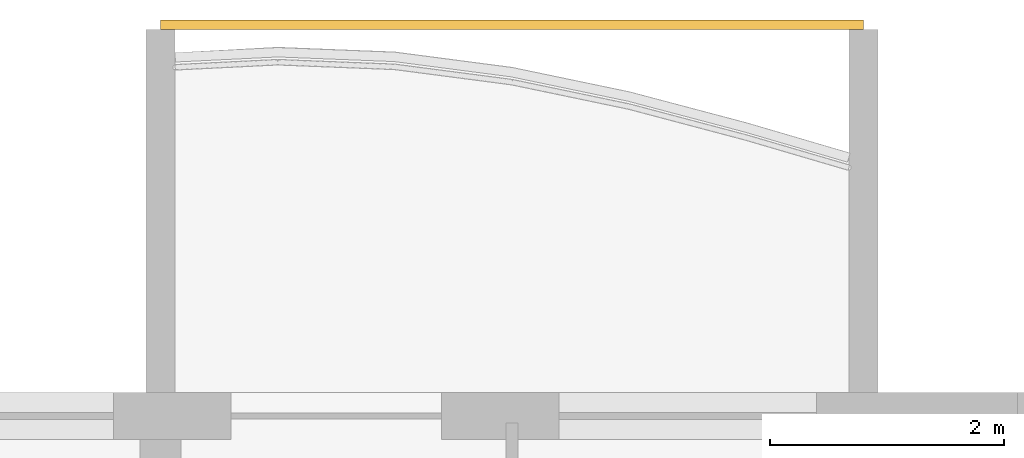
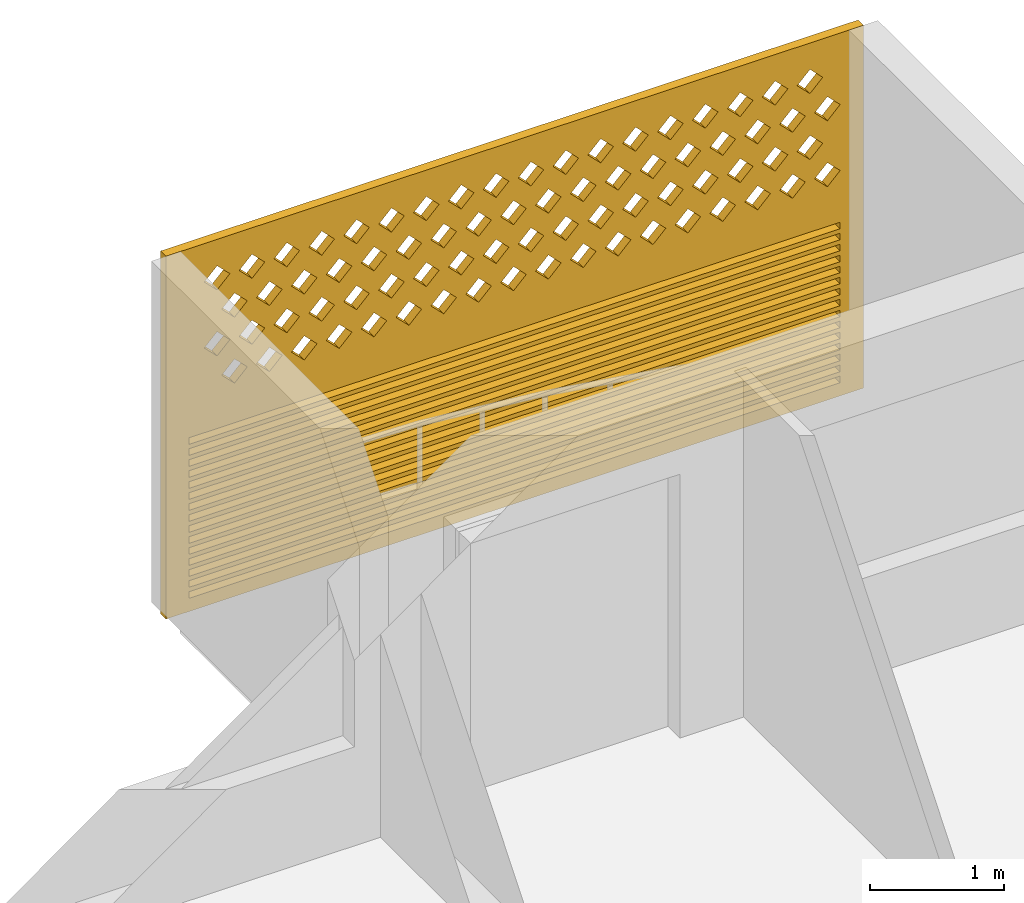
# One storey, part 24 of 24: 1 covering.
"""IFC4 building model written with IfcOpenShell, lengths in metres."""

from ifc_helpers import new_model, si_unit, direction, frame, origin, place, context, subcontext, project, spatial, polyline, outline, extrude, source, transform, mapped, material, material_profile, profile_set, type_object, element, save


model = new_model("IFC4")

# Units and contexts
model_context = context("Model", 3, precision=1e-05, world=origin(), true_north=direction((0.0, 1.0)))
body_context = subcontext(model_context, "Body", "Model", "MODEL_VIEW")
ifc_project = project(units=[si_unit("LENGTHUNIT", "METRE"), si_unit("AREAUNIT", "SQUARE_METRE"), si_unit("VOLUMEUNIT", "CUBIC_METRE"), si_unit("PLANEANGLEUNIT", "RADIAN"), si_unit("MASSUNIT", "GRAM", prefix="KILO")], contexts=[model_context])

# Site, building, storey
site_placement = place(None, origin())
site = spatial("IfcSite", under=ifc_project, at=site_placement, CompositionType="ELEMENT")
building_placement = place(site_placement, origin())
building = spatial("IfcBuilding", under=site, at=building_placement, Name="Poui Terraces", CompositionType="ELEMENT")
storey_placement = place(building_placement, frame((0.0, 0.0, 109.199951171875)))
storey = spatial("IfcBuildingStorey", under=building, at=storey_placement, Name="L30", CompositionType="ELEMENT", Elevation=109.199951171875)

# Covering
ifc_material = material(Name="Terracotta screen", Category="masonry")
ifc_material_profile = material_profile(ifc_material, outline(polyline([(-3.0, -1.64990234375), (3.0, -1.64990234375), (3.0, 1.64990234375), (-3.0, 1.64990234375), (-3.0, -1.64990234375)]), holes=[polyline([(-2.800048828125, 0.39990234375), (-2.68994140625, 0.2900390625), (-2.580078125, 0.39990234375), (-2.68994140625, 0.510009765625), (-2.800048828125, 0.39990234375)]), polyline([(-2.5, 0.39990234375), (-2.389892578125, 0.2900390625), (-2.280029296875, 0.39990234375), (-2.389892578125, 0.510009765625), (-2.5, 0.39990234375)]), polyline([(-2.199951171875, 0.39990234375), (-2.090087890625, 0.2900390625), (-1.97998046875, 0.39990234375), (-2.090087890625, 0.510009765625), (-2.199951171875, 0.39990234375)]), polyline([(-1.89990234375, 0.39990234375), (-1.7900390625, 0.2900390625), (-1.679931640625, 0.39990234375), (-1.7900390625, 0.510009765625), (-1.89990234375, 0.39990234375)]), polyline([(-1.60009765625, 0.39990234375), (-1.489990234375, 0.2900390625), (-1.3798828125, 0.39990234375), (-1.489990234375, 0.510009765625), (-1.60009765625, 0.39990234375)]), polyline([(-1.300048828125, 0.39990234375), (-1.18994140625, 0.2900390625), (-1.080078125, 0.39990234375), (-1.18994140625, 0.510009765625), (-1.300048828125, 0.39990234375)]), polyline([(-1.0, 0.39990234375), (-0.889892578125, 0.2900390625), (-0.780029296875, 0.39990234375), (-0.889892578125, 0.510009765625), (-1.0, 0.39990234375)]), polyline([(-0.699951171875, 0.39990234375), (-0.590087890625, 0.2900390625), (-0.47998046875, 0.39990234375), (-0.590087890625, 0.510009765625), (-0.699951171875, 0.39990234375)]), polyline([(-0.39990234375, 0.39990234375), (-0.2900390625, 0.2900390625), (-0.179931640625, 0.39990234375), (-0.2900390625, 0.510009765625), (-0.39990234375, 0.39990234375)]), polyline([(-0.10009765625, 0.39990234375), (0.010009765625, 0.2900390625), (0.1201171875, 0.39990234375), (0.010009765625, 0.510009765625), (-0.10009765625, 0.39990234375)]), polyline([(0.199951171875, 0.39990234375), (0.31005859375, 0.2900390625), (0.419921875, 0.39990234375), (0.31005859375, 0.510009765625), (0.199951171875, 0.39990234375)]), polyline([(0.5, 0.39990234375), (0.610107421875, 0.2900390625), (0.719970703125, 0.39990234375), (0.610107421875, 0.510009765625), (0.5, 0.39990234375)]), polyline([(0.800048828125, 0.39990234375), (0.909912109375, 0.2900390625), (1.02001953125, 0.39990234375), (0.909912109375, 0.510009765625), (0.800048828125, 0.39990234375)]), polyline([(1.10009765625, 0.39990234375), (1.2099609375, 0.2900390625), (1.320068359375, 0.39990234375), (1.2099609375, 0.510009765625), (1.10009765625, 0.39990234375)]), polyline([(1.39990234375, 0.39990234375), (1.510009765625, 0.2900390625), (1.6201171875, 0.39990234375), (1.510009765625, 0.510009765625), (1.39990234375, 0.39990234375)]), polyline([(1.699951171875, 0.39990234375), (1.81005859375, 0.2900390625), (1.919921875, 0.39990234375), (1.81005859375, 0.510009765625), (1.699951171875, 0.39990234375)]), polyline([(2.0, 0.39990234375), (2.110107421875, 0.2900390625), (2.219970703125, 0.39990234375), (2.110107421875, 0.510009765625), (2.0, 0.39990234375)]), polyline([(2.300048828125, 0.39990234375), (2.409912109375, 0.2900390625), (2.52001953125, 0.39990234375), (2.409912109375, 0.510009765625), (2.300048828125, 0.39990234375)]), polyline([(-2.64990234375, 0.699951171875), (-2.5400390625, 0.590087890625), (-2.429931640625, 0.699951171875), (-2.5400390625, 0.81005859375), (-2.64990234375, 0.699951171875)]), polyline([(-2.35009765625, 0.699951171875), (-2.239990234375, 0.590087890625), (-2.1298828125, 0.699951171875), (-2.239990234375, 0.81005859375), (-2.35009765625, 0.699951171875)]), polyline([(-2.050048828125, 0.699951171875), (-1.93994140625, 0.590087890625), (-1.830078125, 0.699951171875), (-1.93994140625, 0.81005859375), (-2.050048828125, 0.699951171875)]), polyline([(-1.75, 0.699951171875), (-1.639892578125, 0.590087890625), (-1.530029296875, 0.699951171875), (-1.639892578125, 0.81005859375), (-1.75, 0.699951171875)]), polyline([(-1.449951171875, 0.699951171875), (-1.340087890625, 0.590087890625), (-1.22998046875, 0.699951171875), (-1.340087890625, 0.81005859375), (-1.449951171875, 0.699951171875)]), polyline([(-1.14990234375, 0.699951171875), (-1.0400390625, 0.590087890625), (-0.929931640625, 0.699951171875), (-1.0400390625, 0.81005859375), (-1.14990234375, 0.699951171875)]), polyline([(-0.85009765625, 0.699951171875), (-0.739990234375, 0.590087890625), (-0.6298828125, 0.699951171875), (-0.739990234375, 0.81005859375), (-0.85009765625, 0.699951171875)]), polyline([(-0.550048828125, 0.699951171875), (-0.43994140625, 0.590087890625), (-0.330078125, 0.699951171875), (-0.43994140625, 0.81005859375), (-0.550048828125, 0.699951171875)]), polyline([(-0.25, 0.699951171875), (-0.139892578125, 0.590087890625), (-0.030029296875, 0.699951171875), (-0.139892578125, 0.81005859375), (-0.25, 0.699951171875)]), polyline([(0.050048828125, 0.699951171875), (0.159912109375, 0.590087890625), (0.27001953125, 0.699951171875), (0.159912109375, 0.81005859375), (0.050048828125, 0.699951171875)]), polyline([(0.35009765625, 0.699951171875), (0.4599609375, 0.590087890625), (0.570068359375, 0.699951171875), (0.4599609375, 0.81005859375), (0.35009765625, 0.699951171875)]), polyline([(0.64990234375, 0.699951171875), (0.760009765625, 0.590087890625), (0.8701171875, 0.699951171875), (0.760009765625, 0.81005859375), (0.64990234375, 0.699951171875)]), polyline([(0.949951171875, 0.699951171875), (1.06005859375, 0.590087890625), (1.169921875, 0.699951171875), (1.06005859375, 0.81005859375), (0.949951171875, 0.699951171875)]), polyline([(1.25, 0.699951171875), (1.360107421875, 0.590087890625), (1.469970703125, 0.699951171875), (1.360107421875, 0.81005859375), (1.25, 0.699951171875)]), polyline([(1.550048828125, 0.699951171875), (1.659912109375, 0.590087890625), (1.77001953125, 0.699951171875), (1.659912109375, 0.81005859375), (1.550048828125, 0.699951171875)]), polyline([(1.85009765625, 0.699951171875), (1.9599609375, 0.590087890625), (2.070068359375, 0.699951171875), (1.9599609375, 0.81005859375), (1.85009765625, 0.699951171875)]), polyline([(2.14990234375, 0.699951171875), (2.260009765625, 0.590087890625), (2.3701171875, 0.699951171875), (2.260009765625, 0.81005859375), (2.14990234375, 0.699951171875)]), polyline([(2.449951171875, 0.699951171875), (2.56005859375, 0.590087890625), (2.669921875, 0.699951171875), (2.56005859375, 0.81005859375), (2.449951171875, 0.699951171875)]), polyline([(-2.800048828125, 1.0), (-2.68994140625, 0.889892578125), (-2.580078125, 1.0), (-2.68994140625, 1.110107421875), (-2.800048828125, 1.0)]), polyline([(-2.5, 1.0), (-2.389892578125, 0.889892578125), (-2.280029296875, 1.0), (-2.389892578125, 1.110107421875), (-2.5, 1.0)]), polyline([(-2.199951171875, 1.0), (-2.090087890625, 0.889892578125), (-1.97998046875, 1.0), (-2.090087890625, 1.110107421875), (-2.199951171875, 1.0)]), polyline([(-1.89990234375, 1.0), (-1.7900390625, 0.889892578125), (-1.679931640625, 1.0), (-1.7900390625, 1.110107421875), (-1.89990234375, 1.0)]), polyline([(-1.60009765625, 1.0), (-1.489990234375, 0.889892578125), (-1.3798828125, 1.0), (-1.489990234375, 1.110107421875), (-1.60009765625, 1.0)]), polyline([(-1.300048828125, 1.0), (-1.18994140625, 0.889892578125), (-1.080078125, 1.0), (-1.18994140625, 1.110107421875), (-1.300048828125, 1.0)]), polyline([(-1.0, 1.0), (-0.889892578125, 0.889892578125), (-0.780029296875, 1.0), (-0.889892578125, 1.110107421875), (-1.0, 1.0)]), polyline([(-0.699951171875, 1.0), (-0.590087890625, 0.889892578125), (-0.47998046875, 1.0), (-0.590087890625, 1.110107421875), (-0.699951171875, 1.0)]), polyline([(-0.39990234375, 1.0), (-0.2900390625, 0.889892578125), (-0.179931640625, 1.0), (-0.2900390625, 1.110107421875), (-0.39990234375, 1.0)]), polyline([(-0.10009765625, 1.0), (0.010009765625, 0.889892578125), (0.1201171875, 1.0), (0.010009765625, 1.110107421875), (-0.10009765625, 1.0)]), polyline([(0.199951171875, 1.0), (0.31005859375, 0.889892578125), (0.419921875, 1.0), (0.31005859375, 1.110107421875), (0.199951171875, 1.0)]), polyline([(0.5, 1.0), (0.610107421875, 0.889892578125), (0.719970703125, 1.0), (0.610107421875, 1.110107421875), (0.5, 1.0)]), polyline([(0.800048828125, 1.0), (0.909912109375, 0.889892578125), (1.02001953125, 1.0), (0.909912109375, 1.110107421875), (0.800048828125, 1.0)]), polyline([(1.10009765625, 1.0), (1.2099609375, 0.889892578125), (1.320068359375, 1.0), (1.2099609375, 1.110107421875), (1.10009765625, 1.0)]), polyline([(1.39990234375, 1.0), (1.510009765625, 0.889892578125), (1.6201171875, 1.0), (1.510009765625, 1.110107421875), (1.39990234375, 1.0)]), polyline([(1.699951171875, 1.0), (1.81005859375, 0.889892578125), (1.919921875, 1.0), (1.81005859375, 1.110107421875), (1.699951171875, 1.0)]), polyline([(2.0, 1.0), (2.110107421875, 0.889892578125), (2.219970703125, 1.0), (2.110107421875, 1.110107421875), (2.0, 1.0)]), polyline([(2.300048828125, 1.0), (2.409912109375, 0.889892578125), (2.52001953125, 1.0), (2.409912109375, 1.110107421875), (2.300048828125, 1.0)]), polyline([(-2.64990234375, 1.300048828125), (-2.5400390625, 1.18994140625), (-2.429931640625, 1.300048828125), (-2.5400390625, 1.409912109375), (-2.64990234375, 1.300048828125)]), polyline([(-2.35009765625, 1.300048828125), (-2.239990234375, 1.18994140625), (-2.1298828125, 1.300048828125), (-2.239990234375, 1.409912109375), (-2.35009765625, 1.300048828125)]), polyline([(-2.050048828125, 1.300048828125), (-1.93994140625, 1.18994140625), (-1.830078125, 1.300048828125), (-1.93994140625, 1.409912109375), (-2.050048828125, 1.300048828125)]), polyline([(-1.75, 1.300048828125), (-1.639892578125, 1.18994140625), (-1.530029296875, 1.300048828125), (-1.639892578125, 1.409912109375), (-1.75, 1.300048828125)]), polyline([(-1.449951171875, 1.300048828125), (-1.340087890625, 1.18994140625), (-1.22998046875, 1.300048828125), (-1.340087890625, 1.409912109375), (-1.449951171875, 1.300048828125)]), polyline([(-1.14990234375, 1.300048828125), (-1.0400390625, 1.18994140625), (-0.929931640625, 1.300048828125), (-1.0400390625, 1.409912109375), (-1.14990234375, 1.300048828125)]), polyline([(-0.85009765625, 1.300048828125), (-0.739990234375, 1.18994140625), (-0.6298828125, 1.300048828125), (-0.739990234375, 1.409912109375), (-0.85009765625, 1.300048828125)]), polyline([(-0.550048828125, 1.300048828125), (-0.43994140625, 1.18994140625), (-0.330078125, 1.300048828125), (-0.43994140625, 1.409912109375), (-0.550048828125, 1.300048828125)]), polyline([(-0.25, 1.300048828125), (-0.139892578125, 1.18994140625), (-0.030029296875, 1.300048828125), (-0.139892578125, 1.409912109375), (-0.25, 1.300048828125)]), polyline([(0.050048828125, 1.300048828125), (0.159912109375, 1.18994140625), (0.27001953125, 1.300048828125), (0.159912109375, 1.409912109375), (0.050048828125, 1.300048828125)]), polyline([(0.35009765625, 1.300048828125), (0.4599609375, 1.18994140625), (0.570068359375, 1.300048828125), (0.4599609375, 1.409912109375), (0.35009765625, 1.300048828125)]), polyline([(0.64990234375, 1.300048828125), (0.760009765625, 1.18994140625), (0.8701171875, 1.300048828125), (0.760009765625, 1.409912109375), (0.64990234375, 1.300048828125)]), polyline([(0.949951171875, 1.300048828125), (1.06005859375, 1.18994140625), (1.169921875, 1.300048828125), (1.06005859375, 1.409912109375), (0.949951171875, 1.300048828125)]), polyline([(1.25, 1.300048828125), (1.360107421875, 1.18994140625), (1.469970703125, 1.300048828125), (1.360107421875, 1.409912109375), (1.25, 1.300048828125)]), polyline([(1.550048828125, 1.300048828125), (1.659912109375, 1.18994140625), (1.77001953125, 1.300048828125), (1.659912109375, 1.409912109375), (1.550048828125, 1.300048828125)]), polyline([(1.85009765625, 1.300048828125), (1.9599609375, 1.18994140625), (2.070068359375, 1.300048828125), (1.9599609375, 1.409912109375), (1.85009765625, 1.300048828125)]), polyline([(2.14990234375, 1.300048828125), (2.260009765625, 1.18994140625), (2.3701171875, 1.300048828125), (2.260009765625, 1.409912109375), (2.14990234375, 1.300048828125)]), polyline([(2.449951171875, 1.300048828125), (2.56005859375, 1.18994140625), (2.669921875, 1.300048828125), (2.56005859375, 1.409912109375), (2.449951171875, 1.300048828125)]), polyline([(-2.800048828125, -1.530029296875), (2.800048828125, -1.530029296875), (2.800048828125, -1.469970703125), (-2.800048828125, -1.469970703125), (-2.800048828125, -1.530029296875)]), polyline([(-2.800048828125, -1.429931640625), (2.800048828125, -1.429931640625), (2.800048828125, -1.3701171875), (-2.800048828125, -1.3701171875), (-2.800048828125, -1.429931640625)]), polyline([(-2.800048828125, -1.330078125), (2.800048828125, -1.330078125), (2.800048828125, -1.27001953125), (-2.800048828125, -1.27001953125), (-2.800048828125, -1.330078125)]), polyline([(-2.800048828125, -1.22998046875), (2.800048828125, -1.22998046875), (2.800048828125, -1.169921875), (-2.800048828125, -1.169921875), (-2.800048828125, -1.22998046875)]), polyline([(-2.800048828125, -1.1298828125), (2.800048828125, -1.1298828125), (2.800048828125, -1.070068359375), (-2.800048828125, -1.070068359375), (-2.800048828125, -1.1298828125)]), polyline([(-2.800048828125, -1.030029296875), (2.800048828125, -1.030029296875), (2.800048828125, -0.969970703125), (-2.800048828125, -0.969970703125), (-2.800048828125, -1.030029296875)]), polyline([(-2.800048828125, -0.929931640625), (2.800048828125, -0.929931640625), (2.800048828125, -0.8701171875), (-2.800048828125, -0.8701171875), (-2.800048828125, -0.929931640625)]), polyline([(-2.800048828125, -0.830078125), (2.800048828125, -0.830078125), (2.800048828125, -0.77001953125), (-2.800048828125, -0.77001953125), (-2.800048828125, -0.830078125)]), polyline([(-2.800048828125, -0.72998046875), (2.800048828125, -0.72998046875), (2.800048828125, -0.669921875), (-2.800048828125, -0.669921875), (-2.800048828125, -0.72998046875)]), polyline([(-2.800048828125, -0.6298828125), (2.800048828125, -0.6298828125), (2.800048828125, -0.570068359375), (-2.800048828125, -0.570068359375), (-2.800048828125, -0.6298828125)]), polyline([(-2.800048828125, -0.530029296875), (2.800048828125, -0.530029296875), (2.800048828125, -0.469970703125), (-2.800048828125, -0.469970703125), (-2.800048828125, -0.530029296875)]), polyline([(-2.800048828125, -0.429931640625), (2.800048828125, -0.429931640625), (2.800048828125, -0.3701171875), (-2.800048828125, -0.3701171875), (-2.800048828125, -0.429931640625)]), polyline([(-2.800048828125, -0.330078125), (2.800048828125, -0.330078125), (2.800048828125, -0.27001953125), (-2.800048828125, -0.27001953125), (-2.800048828125, -0.330078125)]), polyline([(-2.800048828125, -0.22998046875), (2.800048828125, -0.22998046875), (2.800048828125, -0.169921875), (-2.800048828125, -0.169921875), (-2.800048828125, -0.22998046875)]), polyline([(-2.800048828125, -0.1298828125), (2.800048828125, -0.1298828125), (2.800048828125, -0.070068359375), (-2.800048828125, -0.070068359375), (-2.800048828125, -0.1298828125)])]), Name="TERRACOTTA SCREEN AND JALOUSIE LOUVRE 6000X3300")
ifc_profile_set = profile_set([ifc_material_profile], Name="Terracotta screen")
covering_type = type_object("IfcCoveringType", Name="TERRACOTTA SCREEN AND JALOUSIE LOUVRE 6000X3300", PredefinedType="CLADDING", material=ifc_profile_set)
shared_shape = source(origin(), body_context, "Body", "SweptSolid", [
    extrude(outline(polyline([(-3.0, -1.64990234375), (3.0, -1.64990234375), (3.0, 1.64990234375), (-3.0, 1.64990234375), (-3.0, -1.64990234375)]), holes=[polyline([(-2.800048828125, 0.39990234375), (-2.68994140625, 0.2900390625), (-2.580078125, 0.39990234375), (-2.68994140625, 0.510009765625), (-2.800048828125, 0.39990234375)]), polyline([(-2.5, 0.39990234375), (-2.389892578125, 0.2900390625), (-2.280029296875, 0.39990234375), (-2.389892578125, 0.510009765625), (-2.5, 0.39990234375)]), polyline([(-2.199951171875, 0.39990234375), (-2.090087890625, 0.2900390625), (-1.97998046875, 0.39990234375), (-2.090087890625, 0.510009765625), (-2.199951171875, 0.39990234375)]), polyline([(-1.89990234375, 0.39990234375), (-1.7900390625, 0.2900390625), (-1.679931640625, 0.39990234375), (-1.7900390625, 0.510009765625), (-1.89990234375, 0.39990234375)]), polyline([(-1.60009765625, 0.39990234375), (-1.489990234375, 0.2900390625), (-1.3798828125, 0.39990234375), (-1.489990234375, 0.510009765625), (-1.60009765625, 0.39990234375)]), polyline([(-1.300048828125, 0.39990234375), (-1.18994140625, 0.2900390625), (-1.080078125, 0.39990234375), (-1.18994140625, 0.510009765625), (-1.300048828125, 0.39990234375)]), polyline([(-1.0, 0.39990234375), (-0.889892578125, 0.2900390625), (-0.780029296875, 0.39990234375), (-0.889892578125, 0.510009765625), (-1.0, 0.39990234375)]), polyline([(-0.699951171875, 0.39990234375), (-0.590087890625, 0.2900390625), (-0.47998046875, 0.39990234375), (-0.590087890625, 0.510009765625), (-0.699951171875, 0.39990234375)]), polyline([(-0.39990234375, 0.39990234375), (-0.2900390625, 0.2900390625), (-0.179931640625, 0.39990234375), (-0.2900390625, 0.510009765625), (-0.39990234375, 0.39990234375)]), polyline([(-0.10009765625, 0.39990234375), (0.010009765625, 0.2900390625), (0.1201171875, 0.39990234375), (0.010009765625, 0.510009765625), (-0.10009765625, 0.39990234375)]), polyline([(0.199951171875, 0.39990234375), (0.31005859375, 0.2900390625), (0.419921875, 0.39990234375), (0.31005859375, 0.510009765625), (0.199951171875, 0.39990234375)]), polyline([(0.5, 0.39990234375), (0.610107421875, 0.2900390625), (0.719970703125, 0.39990234375), (0.610107421875, 0.510009765625), (0.5, 0.39990234375)]), polyline([(0.800048828125, 0.39990234375), (0.909912109375, 0.2900390625), (1.02001953125, 0.39990234375), (0.909912109375, 0.510009765625), (0.800048828125, 0.39990234375)]), polyline([(1.10009765625, 0.39990234375), (1.2099609375, 0.2900390625), (1.320068359375, 0.39990234375), (1.2099609375, 0.510009765625), (1.10009765625, 0.39990234375)]), polyline([(1.39990234375, 0.39990234375), (1.510009765625, 0.2900390625), (1.6201171875, 0.39990234375), (1.510009765625, 0.510009765625), (1.39990234375, 0.39990234375)]), polyline([(1.699951171875, 0.39990234375), (1.81005859375, 0.2900390625), (1.919921875, 0.39990234375), (1.81005859375, 0.510009765625), (1.699951171875, 0.39990234375)]), polyline([(2.0, 0.39990234375), (2.110107421875, 0.2900390625), (2.219970703125, 0.39990234375), (2.110107421875, 0.510009765625), (2.0, 0.39990234375)]), polyline([(2.300048828125, 0.39990234375), (2.409912109375, 0.2900390625), (2.52001953125, 0.39990234375), (2.409912109375, 0.510009765625), (2.300048828125, 0.39990234375)]), polyline([(-2.64990234375, 0.699951171875), (-2.5400390625, 0.590087890625), (-2.429931640625, 0.699951171875), (-2.5400390625, 0.81005859375), (-2.64990234375, 0.699951171875)]), polyline([(-2.35009765625, 0.699951171875), (-2.239990234375, 0.590087890625), (-2.1298828125, 0.699951171875), (-2.239990234375, 0.81005859375), (-2.35009765625, 0.699951171875)]), polyline([(-2.050048828125, 0.699951171875), (-1.93994140625, 0.590087890625), (-1.830078125, 0.699951171875), (-1.93994140625, 0.81005859375), (-2.050048828125, 0.699951171875)]), polyline([(-1.75, 0.699951171875), (-1.639892578125, 0.590087890625), (-1.530029296875, 0.699951171875), (-1.639892578125, 0.81005859375), (-1.75, 0.699951171875)]), polyline([(-1.449951171875, 0.699951171875), (-1.340087890625, 0.590087890625), (-1.22998046875, 0.699951171875), (-1.340087890625, 0.81005859375), (-1.449951171875, 0.699951171875)]), polyline([(-1.14990234375, 0.699951171875), (-1.0400390625, 0.590087890625), (-0.929931640625, 0.699951171875), (-1.0400390625, 0.81005859375), (-1.14990234375, 0.699951171875)]), polyline([(-0.85009765625, 0.699951171875), (-0.739990234375, 0.590087890625), (-0.6298828125, 0.699951171875), (-0.739990234375, 0.81005859375), (-0.85009765625, 0.699951171875)]), polyline([(-0.550048828125, 0.699951171875), (-0.43994140625, 0.590087890625), (-0.330078125, 0.699951171875), (-0.43994140625, 0.81005859375), (-0.550048828125, 0.699951171875)]), polyline([(-0.25, 0.699951171875), (-0.139892578125, 0.590087890625), (-0.030029296875, 0.699951171875), (-0.139892578125, 0.81005859375), (-0.25, 0.699951171875)]), polyline([(0.050048828125, 0.699951171875), (0.159912109375, 0.590087890625), (0.27001953125, 0.699951171875), (0.159912109375, 0.81005859375), (0.050048828125, 0.699951171875)]), polyline([(0.35009765625, 0.699951171875), (0.4599609375, 0.590087890625), (0.570068359375, 0.699951171875), (0.4599609375, 0.81005859375), (0.35009765625, 0.699951171875)]), polyline([(0.64990234375, 0.699951171875), (0.760009765625, 0.590087890625), (0.8701171875, 0.699951171875), (0.760009765625, 0.81005859375), (0.64990234375, 0.699951171875)]), polyline([(0.949951171875, 0.699951171875), (1.06005859375, 0.590087890625), (1.169921875, 0.699951171875), (1.06005859375, 0.81005859375), (0.949951171875, 0.699951171875)]), polyline([(1.25, 0.699951171875), (1.360107421875, 0.590087890625), (1.469970703125, 0.699951171875), (1.360107421875, 0.81005859375), (1.25, 0.699951171875)]), polyline([(1.550048828125, 0.699951171875), (1.659912109375, 0.590087890625), (1.77001953125, 0.699951171875), (1.659912109375, 0.81005859375), (1.550048828125, 0.699951171875)]), polyline([(1.85009765625, 0.699951171875), (1.9599609375, 0.590087890625), (2.070068359375, 0.699951171875), (1.9599609375, 0.81005859375), (1.85009765625, 0.699951171875)]), polyline([(2.14990234375, 0.699951171875), (2.260009765625, 0.590087890625), (2.3701171875, 0.699951171875), (2.260009765625, 0.81005859375), (2.14990234375, 0.699951171875)]), polyline([(2.449951171875, 0.699951171875), (2.56005859375, 0.590087890625), (2.669921875, 0.699951171875), (2.56005859375, 0.81005859375), (2.449951171875, 0.699951171875)]), polyline([(-2.800048828125, 1.0), (-2.68994140625, 0.889892578125), (-2.580078125, 1.0), (-2.68994140625, 1.110107421875), (-2.800048828125, 1.0)]), polyline([(-2.5, 1.0), (-2.389892578125, 0.889892578125), (-2.280029296875, 1.0), (-2.389892578125, 1.110107421875), (-2.5, 1.0)]), polyline([(-2.199951171875, 1.0), (-2.090087890625, 0.889892578125), (-1.97998046875, 1.0), (-2.090087890625, 1.110107421875), (-2.199951171875, 1.0)]), polyline([(-1.89990234375, 1.0), (-1.7900390625, 0.889892578125), (-1.679931640625, 1.0), (-1.7900390625, 1.110107421875), (-1.89990234375, 1.0)]), polyline([(-1.60009765625, 1.0), (-1.489990234375, 0.889892578125), (-1.3798828125, 1.0), (-1.489990234375, 1.110107421875), (-1.60009765625, 1.0)]), polyline([(-1.300048828125, 1.0), (-1.18994140625, 0.889892578125), (-1.080078125, 1.0), (-1.18994140625, 1.110107421875), (-1.300048828125, 1.0)]), polyline([(-1.0, 1.0), (-0.889892578125, 0.889892578125), (-0.780029296875, 1.0), (-0.889892578125, 1.110107421875), (-1.0, 1.0)]), polyline([(-0.699951171875, 1.0), (-0.590087890625, 0.889892578125), (-0.47998046875, 1.0), (-0.590087890625, 1.110107421875), (-0.699951171875, 1.0)]), polyline([(-0.39990234375, 1.0), (-0.2900390625, 0.889892578125), (-0.179931640625, 1.0), (-0.2900390625, 1.110107421875), (-0.39990234375, 1.0)]), polyline([(-0.10009765625, 1.0), (0.010009765625, 0.889892578125), (0.1201171875, 1.0), (0.010009765625, 1.110107421875), (-0.10009765625, 1.0)]), polyline([(0.199951171875, 1.0), (0.31005859375, 0.889892578125), (0.419921875, 1.0), (0.31005859375, 1.110107421875), (0.199951171875, 1.0)]), polyline([(0.5, 1.0), (0.610107421875, 0.889892578125), (0.719970703125, 1.0), (0.610107421875, 1.110107421875), (0.5, 1.0)]), polyline([(0.800048828125, 1.0), (0.909912109375, 0.889892578125), (1.02001953125, 1.0), (0.909912109375, 1.110107421875), (0.800048828125, 1.0)]), polyline([(1.10009765625, 1.0), (1.2099609375, 0.889892578125), (1.320068359375, 1.0), (1.2099609375, 1.110107421875), (1.10009765625, 1.0)]), polyline([(1.39990234375, 1.0), (1.510009765625, 0.889892578125), (1.6201171875, 1.0), (1.510009765625, 1.110107421875), (1.39990234375, 1.0)]), polyline([(1.699951171875, 1.0), (1.81005859375, 0.889892578125), (1.919921875, 1.0), (1.81005859375, 1.110107421875), (1.699951171875, 1.0)]), polyline([(2.0, 1.0), (2.110107421875, 0.889892578125), (2.219970703125, 1.0), (2.110107421875, 1.110107421875), (2.0, 1.0)]), polyline([(2.300048828125, 1.0), (2.409912109375, 0.889892578125), (2.52001953125, 1.0), (2.409912109375, 1.110107421875), (2.300048828125, 1.0)]), polyline([(-2.64990234375, 1.300048828125), (-2.5400390625, 1.18994140625), (-2.429931640625, 1.300048828125), (-2.5400390625, 1.409912109375), (-2.64990234375, 1.300048828125)]), polyline([(-2.35009765625, 1.300048828125), (-2.239990234375, 1.18994140625), (-2.1298828125, 1.300048828125), (-2.239990234375, 1.409912109375), (-2.35009765625, 1.300048828125)]), polyline([(-2.050048828125, 1.300048828125), (-1.93994140625, 1.18994140625), (-1.830078125, 1.300048828125), (-1.93994140625, 1.409912109375), (-2.050048828125, 1.300048828125)]), polyline([(-1.75, 1.300048828125), (-1.639892578125, 1.18994140625), (-1.530029296875, 1.300048828125), (-1.639892578125, 1.409912109375), (-1.75, 1.300048828125)]), polyline([(-1.449951171875, 1.300048828125), (-1.340087890625, 1.18994140625), (-1.22998046875, 1.300048828125), (-1.340087890625, 1.409912109375), (-1.449951171875, 1.300048828125)]), polyline([(-1.14990234375, 1.300048828125), (-1.0400390625, 1.18994140625), (-0.929931640625, 1.300048828125), (-1.0400390625, 1.409912109375), (-1.14990234375, 1.300048828125)]), polyline([(-0.85009765625, 1.300048828125), (-0.739990234375, 1.18994140625), (-0.6298828125, 1.300048828125), (-0.739990234375, 1.409912109375), (-0.85009765625, 1.300048828125)]), polyline([(-0.550048828125, 1.300048828125), (-0.43994140625, 1.18994140625), (-0.330078125, 1.300048828125), (-0.43994140625, 1.409912109375), (-0.550048828125, 1.300048828125)]), polyline([(-0.25, 1.300048828125), (-0.139892578125, 1.18994140625), (-0.030029296875, 1.300048828125), (-0.139892578125, 1.409912109375), (-0.25, 1.300048828125)]), polyline([(0.050048828125, 1.300048828125), (0.159912109375, 1.18994140625), (0.27001953125, 1.300048828125), (0.159912109375, 1.409912109375), (0.050048828125, 1.300048828125)]), polyline([(0.35009765625, 1.300048828125), (0.4599609375, 1.18994140625), (0.570068359375, 1.300048828125), (0.4599609375, 1.409912109375), (0.35009765625, 1.300048828125)]), polyline([(0.64990234375, 1.300048828125), (0.760009765625, 1.18994140625), (0.8701171875, 1.300048828125), (0.760009765625, 1.409912109375), (0.64990234375, 1.300048828125)]), polyline([(0.949951171875, 1.300048828125), (1.06005859375, 1.18994140625), (1.169921875, 1.300048828125), (1.06005859375, 1.409912109375), (0.949951171875, 1.300048828125)]), polyline([(1.25, 1.300048828125), (1.360107421875, 1.18994140625), (1.469970703125, 1.300048828125), (1.360107421875, 1.409912109375), (1.25, 1.300048828125)]), polyline([(1.550048828125, 1.300048828125), (1.659912109375, 1.18994140625), (1.77001953125, 1.300048828125), (1.659912109375, 1.409912109375), (1.550048828125, 1.300048828125)]), polyline([(1.85009765625, 1.300048828125), (1.9599609375, 1.18994140625), (2.070068359375, 1.300048828125), (1.9599609375, 1.409912109375), (1.85009765625, 1.300048828125)]), polyline([(2.14990234375, 1.300048828125), (2.260009765625, 1.18994140625), (2.3701171875, 1.300048828125), (2.260009765625, 1.409912109375), (2.14990234375, 1.300048828125)]), polyline([(2.449951171875, 1.300048828125), (2.56005859375, 1.18994140625), (2.669921875, 1.300048828125), (2.56005859375, 1.409912109375), (2.449951171875, 1.300048828125)]), polyline([(-2.800048828125, -1.530029296875), (2.800048828125, -1.530029296875), (2.800048828125, -1.469970703125), (-2.800048828125, -1.469970703125), (-2.800048828125, -1.530029296875)]), polyline([(-2.800048828125, -1.429931640625), (2.800048828125, -1.429931640625), (2.800048828125, -1.3701171875), (-2.800048828125, -1.3701171875), (-2.800048828125, -1.429931640625)]), polyline([(-2.800048828125, -1.330078125), (2.800048828125, -1.330078125), (2.800048828125, -1.27001953125), (-2.800048828125, -1.27001953125), (-2.800048828125, -1.330078125)]), polyline([(-2.800048828125, -1.22998046875), (2.800048828125, -1.22998046875), (2.800048828125, -1.169921875), (-2.800048828125, -1.169921875), (-2.800048828125, -1.22998046875)]), polyline([(-2.800048828125, -1.1298828125), (2.800048828125, -1.1298828125), (2.800048828125, -1.070068359375), (-2.800048828125, -1.070068359375), (-2.800048828125, -1.1298828125)]), polyline([(-2.800048828125, -1.030029296875), (2.800048828125, -1.030029296875), (2.800048828125, -0.969970703125), (-2.800048828125, -0.969970703125), (-2.800048828125, -1.030029296875)]), polyline([(-2.800048828125, -0.929931640625), (2.800048828125, -0.929931640625), (2.800048828125, -0.8701171875), (-2.800048828125, -0.8701171875), (-2.800048828125, -0.929931640625)]), polyline([(-2.800048828125, -0.830078125), (2.800048828125, -0.830078125), (2.800048828125, -0.77001953125), (-2.800048828125, -0.77001953125), (-2.800048828125, -0.830078125)]), polyline([(-2.800048828125, -0.72998046875), (2.800048828125, -0.72998046875), (2.800048828125, -0.669921875), (-2.800048828125, -0.669921875), (-2.800048828125, -0.72998046875)]), polyline([(-2.800048828125, -0.6298828125), (2.800048828125, -0.6298828125), (2.800048828125, -0.570068359375), (-2.800048828125, -0.570068359375), (-2.800048828125, -0.6298828125)]), polyline([(-2.800048828125, -0.530029296875), (2.800048828125, -0.530029296875), (2.800048828125, -0.469970703125), (-2.800048828125, -0.469970703125), (-2.800048828125, -0.530029296875)]), polyline([(-2.800048828125, -0.429931640625), (2.800048828125, -0.429931640625), (2.800048828125, -0.3701171875), (-2.800048828125, -0.3701171875), (-2.800048828125, -0.429931640625)]), polyline([(-2.800048828125, -0.330078125), (2.800048828125, -0.330078125), (2.800048828125, -0.27001953125), (-2.800048828125, -0.27001953125), (-2.800048828125, -0.330078125)]), polyline([(-2.800048828125, -0.22998046875), (2.800048828125, -0.22998046875), (2.800048828125, -0.169921875), (-2.800048828125, -0.169921875), (-2.800048828125, -0.22998046875)]), polyline([(-2.800048828125, -0.1298828125), (2.800048828125, -0.1298828125), (2.800048828125, -0.070068359375), (-2.800048828125, -0.070068359375), (-2.800048828125, -0.1298828125)])]), origin(), (0.0, 0.0, 1.0), 0.080078125),
])
covering_placement = place(storey_placement, frame((81.0, 46.89990234375, 1.449951171875), z_axis=(0.0, 1.0, 0.0), x_axis=(-1.0, 0.0, 0.0)))
element("IfcCovering", 1, at=covering_placement, inside=storey, type_object=covering_type, Name="SOLAR SCREEN AND JALOUSIE LOUVRE", PredefinedType="CLADDING", context=body_context, shape_type="MappedRepresentation", body=[
    mapped(shared_shape, transform((0.0, 0.0, 0.0))),
])

save(model, "model.ifc")
